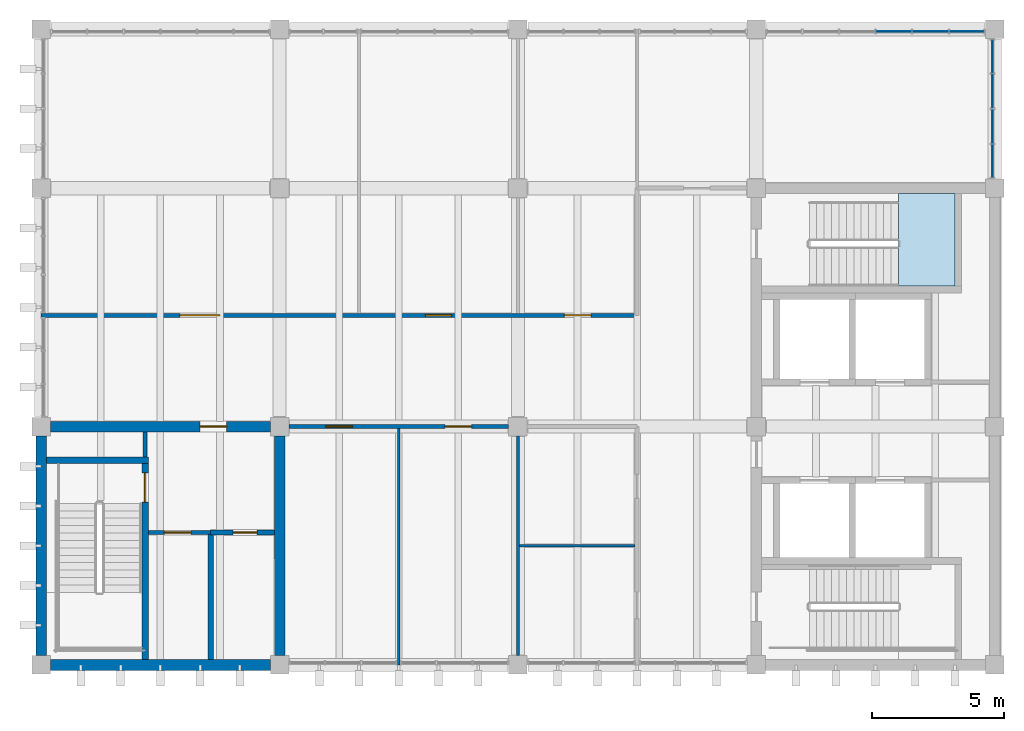
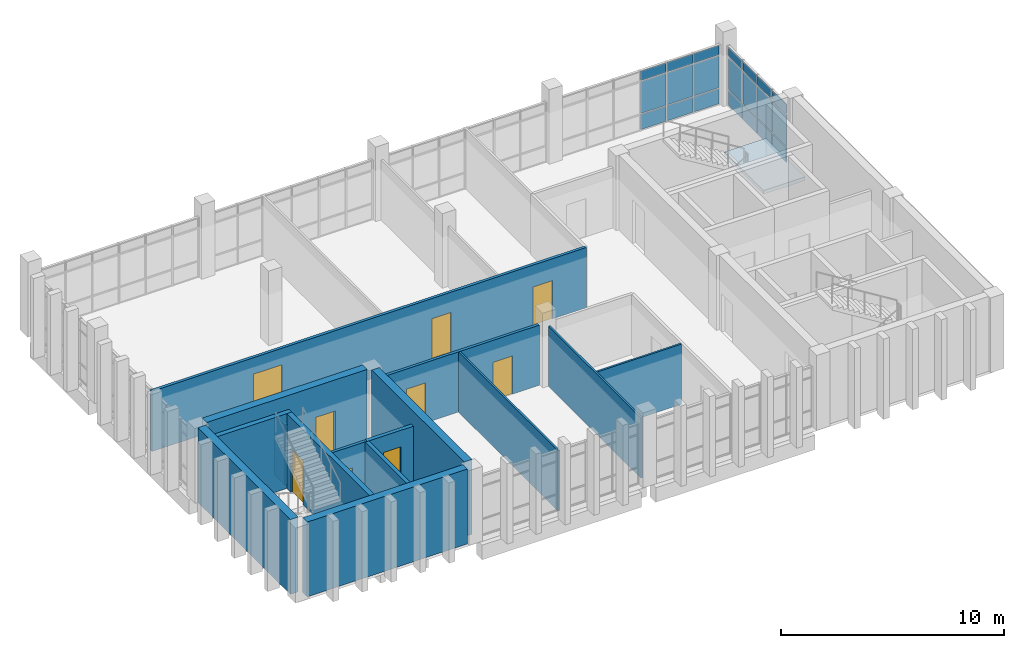
# One storey, part 9 of 14: 21 plates, 15 walls, 9 doors, 1 slab, 9 openings, 3 elements without a shape of their own.
"""IFC4 building model written with IfcOpenShell, lengths in metres."""

import ifcopenshell
import ifcopenshell.guid

model = None  # the IFC model being written
_history = None  # IfcOwnerHistory: only IFC2X3 demands one
_inside = {}  # id of a spatial element -> (the spatial element, [elements in it])
_under = {}  # id of a project, library or spatial element -> (it, [spatial elements below it])
_declared = {}  # id of a project -> (the project, [libraries it declares])
_typed = {}  # id of a type object -> (the type object, [elements of that type])
_made_of = {}  # id of a material, layer set ... -> (it, [elements and type objects made of it])


def new_model(schema):
    """Start an empty IFC model of exactly this schema.

    Asked for "IFC4X3", IfcOpenShell would pick the latest addendum, in which some entities
    have other attributes; the version numbers below select the first issue.
    IFC2X3 requires an IfcOwnerHistory on every rooted entity: one is made here for all.
    """
    global model, _history
    if schema == "IFC4X3":
        model = ifcopenshell.file(schema_version=(4, 3, 0, 0))
    else:
        model = ifcopenshell.file(schema=schema)
    _inside.clear()
    _under.clear()
    _declared.clear()
    _typed.clear()
    _made_of.clear()
    _history = None
    if model.schema == "IFC2X3":
        org = make("IfcOrganization", Name="unknown")
        user = make(
            "IfcPersonAndOrganization",
            ThePerson=make("IfcPerson", FamilyName="unknown"),
            TheOrganization=org,
        )
        app = make(
            "IfcApplication",
            ApplicationDeveloper=org,
            Version="unknown",
            ApplicationFullName="unknown",
            ApplicationIdentifier="unknown",
        )
        _history = make(
            "IfcOwnerHistory",
            OwningUser=user,
            OwningApplication=app,
            ChangeAction="ADDED",
            CreationDate=0,
        )
    return model


def make(cls, **values):
    """One entity of the class cls with the attributes given. An attribute that is None is left unset."""
    return model.create_entity(
        cls, **{name: value for name, value in values.items() if value is not None}
    )


def rooted(cls, **values):
    """An entity with a GlobalId (a new one), such as an element, a storey or a relation."""
    return make(cls, GlobalId=ifcopenshell.guid.new(), OwnerHistory=_history, **values)


def si_unit(unit_type, name, prefix=None):
    """IfcSIUnit, for example si_unit("LENGTHUNIT", "METRE", prefix="MILLI")."""
    return make("IfcSIUnit", UnitType=unit_type, Prefix=prefix, Name=name)


def assignment(units):
    """IfcUnitAssignment: the units of a project."""
    return None if units is None else make("IfcUnitAssignment", Units=units)


def point(xyz):
    """IfcCartesianPoint."""
    return None if xyz is None else make("IfcCartesianPoint", Coordinates=xyz)


def direction(xyz):
    """IfcDirection."""
    return None if xyz is None else make("IfcDirection", DirectionRatios=xyz)


def frame(location, z_axis=None, x_axis=None):
    """IfcAxis2Placement3D, a coordinate frame: its origin and axes. An axis left out is left unset."""
    return make(
        "IfcAxis2Placement3D",
        Location=point(location),
        Axis=direction(z_axis),
        RefDirection=direction(x_axis),
    )


def frame_2d(location, x_axis=None):
    """IfcAxis2Placement2D, a coordinate frame in the plane: its origin and x axis."""
    return make(
        "IfcAxis2Placement2D", Location=point(location), RefDirection=direction(x_axis)
    )


def origin():
    """The frame at (0, 0, 0) with its axes left unset."""
    return frame((0.0, 0.0, 0.0))


def origin_2d():
    """The frame at (0, 0) in the plane with its x axis left unset."""
    return frame_2d((0.0, 0.0))


def place(relative_to, where):
    """IfcLocalPlacement: puts the frame where relative to a parent placement (None: the world)."""
    return make(
        "IfcLocalPlacement", PlacementRelTo=relative_to, RelativePlacement=where
    )


def context(
    kind, dimensions, precision=None, world=None, true_north=None, identifier=None
):
    """IfcGeometricRepresentationContext, for example the 3D "Model" context."""
    return make(
        "IfcGeometricRepresentationContext",
        ContextIdentifier=identifier,
        ContextType=kind,
        CoordinateSpaceDimension=dimensions,
        Precision=precision,
        WorldCoordinateSystem=world,
        TrueNorth=true_north,
    )


def subcontext(parent, identifier, kind, view, scale=None):
    """IfcGeometricRepresentationSubContext, for example "Body" below "Model"."""
    return make(
        "IfcGeometricRepresentationSubContext",
        ContextIdentifier=identifier,
        ContextType=kind,
        ParentContext=parent,
        TargetScale=scale,
        TargetView=view,
    )


def project(units=None, contexts=None):
    """IfcProject with its units and contexts."""
    return rooted(
        "IfcProject",
        Name="project",
        RepresentationContexts=contexts,
        UnitsInContext=assignment(units),
    )


def spatial(cls, under=None, at=None, **own):
    """A site, building, storey or space (cls), placed at a placement, below another one or the project."""
    s = rooted(cls, ObjectPlacement=at, **own)
    if under is not None:
        _under.setdefault(under.id(), (under, []))[1].append(s)
    return s


def polyline(points):
    """IfcPolyline through the points."""
    return make("IfcPolyline", Points=[point(p) for p in points])


def profile(cls, at=None, kind="AREA", **sizes):
    """A parametric profile (cls). Its sizes go by their IFC names, for example OverallWidth=200.0."""
    return make(cls, ProfileType=kind, Position=at, **sizes)


def rectangle(**sizes):
    """IfcRectangleProfileDef."""
    return profile("IfcRectangleProfileDef", **sizes)


def outline(outer, holes=None, kind="AREA"):
    """IfcArbitraryClosedProfileDef: a profile drawn as a closed curve; with holes, ...WithVoids."""
    if holes is None:
        return make("IfcArbitraryClosedProfileDef", ProfileType=kind, OuterCurve=outer)
    return make(
        "IfcArbitraryProfileDefWithVoids",
        ProfileType=kind,
        OuterCurve=outer,
        InnerCurves=holes,
    )


def extrude(swept, where, along, depth):
    """IfcExtrudedAreaSolid: the profile swept, set in the frame where, extruded along a direction by depth."""
    return make(
        "IfcExtrudedAreaSolid",
        SweptArea=swept,
        Position=where,
        ExtrudedDirection=direction(along),
        Depth=depth,
    )


def shape(context_of_items, identifier, shape_type, items):
    """IfcShapeRepresentation: the items that make up one representation, for example the "Body"."""
    return make(
        "IfcShapeRepresentation",
        ContextOfItems=context_of_items,
        RepresentationIdentifier=identifier,
        RepresentationType=shape_type,
        Items=items,
    )


def material(Name=None, Category=None):
    """IfcMaterial."""
    return make("IfcMaterial", Name=Name, Category=Category)


def layer(
    of_material, thickness, ventilated=None, Name=None, Category=None, Priority=None
):
    """IfcMaterialLayer: one layer of a wall or slab, of a material (None: an air gap)."""
    return make(
        "IfcMaterialLayer",
        Material=of_material,
        LayerThickness=thickness,
        IsVentilated=ventilated,
        Name=Name,
        Category=Category,
        Priority=Priority,
    )


def layer_set(layers, Name=None):
    """IfcMaterialLayerSet."""
    return make("IfcMaterialLayerSet", MaterialLayers=layers, LayerSetName=Name)


def made_of(thing, what):
    """Note that an element or type object is made of a material, layer set ...; save() writes the relation."""
    if what is not None:
        _made_of.setdefault(what.id(), (what, []))[1].append(thing)
    return thing


def type_object(cls, material=None, **own):
    """A type object (cls), such as IfcWallType, which elements share."""
    return made_of(rooted(cls, **own), material)


def element(
    cls,
    number,
    at=None,
    inside=None,
    cuts=None,
    type_object=None,
    material=None,
    context=None,
    identifier="Body",
    shape_type=None,
    held_by="IfcProductDefinitionShape",
    body=None,
    shapes=None,
    **own,
):
    """One element of the class cls, such as IfcWall. Its Tag is "e" and its number.

    at: its placement. inside: the storey or other place that contains it. cuts: it is an
    opening in that element (IfcRelVoidsElement). A single representation is given by context,
    identifier, shape_type and body (its items); several are given by shapes. held_by: the class
    of the entity that holds the representations. save() writes the other relations.
    """
    e = rooted(cls, Tag="e%d" % number, ObjectPlacement=at, **own)
    if body is not None:
        shapes = [shape(context, identifier, shape_type, body)]
    if shapes is not None:
        e.Representation = make(held_by, Representations=shapes)
    if inside is not None:
        _inside.setdefault(inside.id(), (inside, []))[1].append(e)
    if cuts is not None:
        rooted(
            "IfcRelVoidsElement", RelatingBuildingElement=cuts, RelatedOpeningElement=e
        )
    if type_object is not None:
        _typed.setdefault(type_object.id(), (type_object, []))[1].append(e)
    return made_of(e, material)


def fill(opening, filler):
    """IfcRelFillsElement: the door or window that sits in an opening."""
    return rooted(
        "IfcRelFillsElement",
        RelatingOpeningElement=opening,
        RelatedBuildingElement=filler,
    )


def aggregate(whole, parts):
    """IfcRelAggregates: a whole, such as a stair, and the parts it consists of."""
    return rooted("IfcRelAggregates", RelatingObject=whole, RelatedObjects=parts)


def save(model, path):
    """Write the relations noted so far, then the file.

    IfcRelAggregates (storeys below a building ...), IfcRelContainedInSpatialStructure (elements
    in a storey), IfcRelDefinesByType, IfcRelAssociatesMaterial and IfcRelDeclares: one each for
    every whole, place, type object, material and project.
    """
    for whole, parts in _under.values():
        aggregate(whole, parts)
    for where, things in _inside.values():
        rooted(
            "IfcRelContainedInSpatialStructure",
            RelatedElements=things,
            RelatingStructure=where,
        )
    for kind, things in _typed.values():
        rooted("IfcRelDefinesByType", RelatedObjects=things, RelatingType=kind)
    for what, things in _made_of.values():
        rooted("IfcRelAssociatesMaterial", RelatedObjects=things, RelatingMaterial=what)
    for by, libraries in _declared.values():
        rooted("IfcRelDeclares", RelatingContext=by, RelatedDefinitions=libraries)
    model.write(path)


model = new_model("IFC4")

# Units and contexts
model_context = context("Model", 3, precision=1e-05, world=origin(), true_north=direction((0.0, 1.0)))
body_context = subcontext(model_context, "Body", "Model", "MODEL_VIEW")
ifc_project = project(units=[si_unit("LENGTHUNIT", "METRE"), si_unit("AREAUNIT", "SQUARE_METRE"), si_unit("VOLUMEUNIT", "CUBIC_METRE"), si_unit("PLANEANGLEUNIT", "RADIAN"), si_unit("MASSUNIT", "GRAM", prefix="KILO")], contexts=[model_context])

# Site, building, storey
site_placement = place(None, origin())
site = spatial("IfcSite", under=ifc_project, at=site_placement, CompositionType="ELEMENT")
building_placement = place(site_placement, origin())
building = spatial("IfcBuilding", under=site, at=building_placement, Name="Merrow Basin Faculty of Sciences", CompositionType="ELEMENT")
storey_placement = place(building_placement, frame((0.0, 0.0, 36.0)))
storey = spatial("IfcBuildingStorey", under=building, at=storey_placement, Name="L08", CompositionType="ELEMENT", Elevation=36.0)

# Curtain wall, plates
ifc_material_1 = material(Name="Aluminium alloy 6063", Category="aluminium")
curtain_wall_type = type_object("IfcCurtainWallType", Name="Unitised curtain wall 160", PredefinedType="NOTDEFINED", material=ifc_material_1)
curtain_wall_1_placement = place(storey_placement, origin())
curtain_wall_1 = element("IfcCurtainWall", 1, at=curtain_wall_1_placement, inside=storey, type_object=curtain_wall_type, Name="N curtain wall L08 6", PredefinedType="NOTDEFINED")
ifc_material_2 = material(Name="Insulated aluminium spandrel panel", Category="aluminium")
ifc_layer_1 = layer(ifc_material_2, 0.052001953125)
ifc_layer_set_1 = layer_set([ifc_layer_1], Name="Insulated spandrel panel 52")
plate_type_1 = type_object("IfcPlateType", Name="Insulated spandrel panel 52", PredefinedType="CURTAIN_PANEL", material=ifc_layer_set_1)
plate_1_placement = place(storey_placement, frame((50.191650390625, 165.919921875, 0.06005859375), z_axis=(0.0, 0.0, 1.0), x_axis=(1.0, 0.0, 0.0)))
plate_1 = element("IfcPlate", 2, at=plate_1_placement, type_object=plate_type_1, Name="CW3 panel 4.1", PredefinedType="CURTAIN_PANEL", context=body_context, shape_type="SweptSolid", body=[
    extrude(rectangle(XDim=1.3232421875, YDim=0.052001953125, at=origin_2d()), origin(), (0.0, 0.0, 1.0), 0.81005859375),
])
plate_2_placement = place(storey_placement, frame((51.574951171875, 165.919921875, 0.06005859375), z_axis=(0.0, 0.0, 1.0), x_axis=(1.0, 0.0, 0.0)))
plate_2 = element("IfcPlate", 3, at=plate_2_placement, type_object=plate_type_1, Name="CW3 panel 5.1", PredefinedType="CURTAIN_PANEL", context=body_context, shape_type="SweptSolid", body=[
    extrude(rectangle(XDim=1.3232421875, YDim=0.052001953125, at=origin_2d()), origin(), (0.0, 0.0, 1.0), 0.81005859375),
])
plate_3_placement = place(storey_placement, frame((52.943359375, 165.919921875, 0.06005859375), z_axis=(0.0, 0.0, 1.0), x_axis=(1.0, 0.0, 0.0)))
plate_3 = element("IfcPlate", 4, at=plate_3_placement, type_object=plate_type_1, Name="CW3 panel 6.1", PredefinedType="CURTAIN_PANEL", context=body_context, shape_type="SweptSolid", body=[
    extrude(rectangle(XDim=1.293212890625, YDim=0.052001953125, at=origin_2d()), origin(), (0.0, 0.0, 1.0), 0.81005859375),
])

curtain_wall_2_placement = place(storey_placement, origin())
curtain_wall_2 = element("IfcCurtainWall", 5, at=curtain_wall_2_placement, inside=storey, type_object=curtain_wall_type, Name="E curtain wall L08 1", PredefinedType="NOTDEFINED")
plate_4_placement = place(storey_placement, frame((53.919921875, 161.027587890625, 0.06005859375), z_axis=(0.0, 0.0, 1.0), x_axis=(0.0, 1.0, 0.0)))
plate_4 = element("IfcPlate", 6, at=plate_4_placement, type_object=plate_type_1, Name="CW3 panel 1.1", PredefinedType="CURTAIN_PANEL", context=body_context, shape_type="SweptSolid", body=[
    extrude(rectangle(XDim=1.235107421875, YDim=0.052001953125, at=origin_2d()), origin(), (0.0, 0.0, 1.0), 0.81005859375),
])
plate_5_placement = place(storey_placement, frame((53.919921875, 162.33740234375, 0.06005859375), z_axis=(0.0, 0.0, 1.0), x_axis=(0.0, 1.0, 0.0)))
plate_5 = element("IfcPlate", 7, at=plate_5_placement, type_object=plate_type_1, Name="CW3 panel 2.1", PredefinedType="CURTAIN_PANEL", context=body_context, shape_type="SweptSolid", body=[
    extrude(rectangle(XDim=1.264892578125, YDim=0.052001953125, at=origin_2d()), origin(), (0.0, 0.0, 1.0), 0.81005859375),
])
plate_6_placement = place(storey_placement, frame((53.919921875, 163.66259765625, 0.06005859375), z_axis=(0.0, 0.0, 1.0), x_axis=(0.0, 1.0, 0.0)))
plate_6 = element("IfcPlate", 8, at=plate_6_placement, type_object=plate_type_1, Name="CW3 panel 3.1", PredefinedType="CURTAIN_PANEL", context=body_context, shape_type="SweptSolid", body=[
    extrude(rectangle(XDim=1.264892578125, YDim=0.052001953125, at=origin_2d()), origin(), (0.0, 0.0, 1.0), 0.81005859375),
])
plate_7_placement = place(storey_placement, frame((53.919921875, 164.972412109375, 0.06005859375), z_axis=(0.0, 0.0, 1.0), x_axis=(0.0, 1.0, 0.0)))
plate_7 = element("IfcPlate", 9, at=plate_7_placement, type_object=plate_type_1, Name="CW3 panel 4.1", PredefinedType="CURTAIN_PANEL", context=body_context, shape_type="SweptSolid", body=[
    extrude(rectangle(XDim=1.235107421875, YDim=0.052001953125, at=origin_2d()), origin(), (0.0, 0.0, 1.0), 0.81005859375),
])

# Plate
ifc_material_3 = material(Name="Low-E double glazing", Category="glass")
ifc_layer_2 = layer(ifc_material_3, 0.028076171875)
ifc_layer_set_2 = layer_set([ifc_layer_2], Name="Low-E double glazed panel 28")
plate_type_2 = type_object("IfcPlateType", Name="Low-E double glazed panel 28", PredefinedType="CURTAIN_PANEL", material=ifc_layer_set_2)
plate_8_placement = place(storey_placement, frame((50.191650390625, 165.919921875, 0.93017578125), z_axis=(0.0, 0.0, 1.0), x_axis=(1.0, 0.0, 0.0)))
plate_8 = element("IfcPlate", 10, at=plate_8_placement, type_object=plate_type_2, Name="CW3 panel 4.2", PredefinedType="CURTAIN_PANEL", context=body_context, shape_type="SweptSolid", body=[
    extrude(rectangle(XDim=1.3232421875, YDim=0.028076171875, at=origin_2d()), origin(), (0.0, 0.0, 1.0), 1.739990234375),
])

plate_9_placement = place(storey_placement, frame((50.191650390625, 165.919921875, 2.72998046875), z_axis=(0.0, 0.0, 1.0), x_axis=(1.0, 0.0, 0.0)))
plate_9 = element("IfcPlate", 11, at=plate_9_placement, type_object=plate_type_2, Name="CW3 panel 4.3", PredefinedType="CURTAIN_PANEL", context=body_context, shape_type="SweptSolid", body=[
    extrude(rectangle(XDim=1.3232421875, YDim=0.028076171875, at=origin_2d()), origin(), (0.0, 0.0, 1.0), 0.510009765625),
])

plate_10_placement = place(storey_placement, frame((51.574951171875, 165.919921875, 0.93017578125), z_axis=(0.0, 0.0, 1.0), x_axis=(1.0, 0.0, 0.0)))
plate_10 = element("IfcPlate", 12, at=plate_10_placement, type_object=plate_type_2, Name="CW3 panel 5.2", PredefinedType="CURTAIN_PANEL", context=body_context, shape_type="SweptSolid", body=[
    extrude(rectangle(XDim=1.3232421875, YDim=0.028076171875, at=origin_2d()), origin(), (0.0, 0.0, 1.0), 1.739990234375),
])

plate_11_placement = place(storey_placement, frame((51.574951171875, 165.919921875, 2.72998046875), z_axis=(0.0, 0.0, 1.0), x_axis=(1.0, 0.0, 0.0)))
plate_11 = element("IfcPlate", 13, at=plate_11_placement, type_object=plate_type_2, Name="CW3 panel 5.3", PredefinedType="CURTAIN_PANEL", context=body_context, shape_type="SweptSolid", body=[
    extrude(rectangle(XDim=1.3232421875, YDim=0.028076171875, at=origin_2d()), origin(), (0.0, 0.0, 1.0), 0.510009765625),
])

plate_12_placement = place(storey_placement, frame((52.943359375, 165.919921875, 0.93017578125), z_axis=(0.0, 0.0, 1.0), x_axis=(1.0, 0.0, 0.0)))
plate_12 = element("IfcPlate", 14, at=plate_12_placement, type_object=plate_type_2, Name="CW3 panel 6.2", PredefinedType="CURTAIN_PANEL", context=body_context, shape_type="SweptSolid", body=[
    extrude(rectangle(XDim=1.293212890625, YDim=0.028076171875, at=origin_2d()), origin(), (0.0, 0.0, 1.0), 1.739990234375),
])

plate_13_placement = place(storey_placement, frame((52.943359375, 165.919921875, 2.72998046875), z_axis=(0.0, 0.0, 1.0), x_axis=(1.0, 0.0, 0.0)))
plate_13 = element("IfcPlate", 15, at=plate_13_placement, type_object=plate_type_2, Name="CW3 panel 6.3", PredefinedType="CURTAIN_PANEL", context=body_context, shape_type="SweptSolid", body=[
    extrude(rectangle(XDim=1.293212890625, YDim=0.028076171875, at=origin_2d()), origin(), (0.0, 0.0, 1.0), 0.510009765625),
])

aggregate(curtain_wall_1, [plate_1, plate_8, plate_9, plate_2, plate_10, plate_11, plate_3, plate_12, plate_13])

plate_14_placement = place(storey_placement, frame((53.919921875, 161.027587890625, 0.93017578125), z_axis=(0.0, 0.0, 1.0), x_axis=(0.0, 1.0, 0.0)))
plate_14 = element("IfcPlate", 16, at=plate_14_placement, type_object=plate_type_2, Name="CW3 panel 1.2", PredefinedType="CURTAIN_PANEL", context=body_context, shape_type="SweptSolid", body=[
    extrude(rectangle(XDim=1.235107421875, YDim=0.028076171875, at=origin_2d()), origin(), (0.0, 0.0, 1.0), 1.739990234375),
])

plate_15_placement = place(storey_placement, frame((53.919921875, 161.027587890625, 2.72998046875), z_axis=(0.0, 0.0, 1.0), x_axis=(0.0, 1.0, 0.0)))
plate_15 = element("IfcPlate", 17, at=plate_15_placement, type_object=plate_type_2, Name="CW3 panel 1.3", PredefinedType="CURTAIN_PANEL", context=body_context, shape_type="SweptSolid", body=[
    extrude(rectangle(XDim=1.235107421875, YDim=0.028076171875, at=origin_2d()), origin(), (0.0, 0.0, 1.0), 0.510009765625),
])

plate_16_placement = place(storey_placement, frame((53.919921875, 162.33740234375, 0.93017578125), z_axis=(0.0, 0.0, 1.0), x_axis=(0.0, 1.0, 0.0)))
plate_16 = element("IfcPlate", 18, at=plate_16_placement, type_object=plate_type_2, Name="CW3 panel 2.2", PredefinedType="CURTAIN_PANEL", context=body_context, shape_type="SweptSolid", body=[
    extrude(rectangle(XDim=1.264892578125, YDim=0.028076171875, at=origin_2d()), origin(), (0.0, 0.0, 1.0), 1.739990234375),
])

plate_17_placement = place(storey_placement, frame((53.919921875, 162.33740234375, 2.72998046875), z_axis=(0.0, 0.0, 1.0), x_axis=(0.0, 1.0, 0.0)))
plate_17 = element("IfcPlate", 19, at=plate_17_placement, type_object=plate_type_2, Name="CW3 panel 2.3", PredefinedType="CURTAIN_PANEL", context=body_context, shape_type="SweptSolid", body=[
    extrude(rectangle(XDim=1.264892578125, YDim=0.028076171875, at=origin_2d()), origin(), (0.0, 0.0, 1.0), 0.510009765625),
])

plate_18_placement = place(storey_placement, frame((53.919921875, 163.66259765625, 0.93017578125), z_axis=(0.0, 0.0, 1.0), x_axis=(0.0, 1.0, 0.0)))
plate_18 = element("IfcPlate", 20, at=plate_18_placement, type_object=plate_type_2, Name="CW3 panel 3.2", PredefinedType="CURTAIN_PANEL", context=body_context, shape_type="SweptSolid", body=[
    extrude(rectangle(XDim=1.264892578125, YDim=0.028076171875, at=origin_2d()), origin(), (0.0, 0.0, 1.0), 1.739990234375),
])

plate_19_placement = place(storey_placement, frame((53.919921875, 163.66259765625, 2.72998046875), z_axis=(0.0, 0.0, 1.0), x_axis=(0.0, 1.0, 0.0)))
plate_19 = element("IfcPlate", 21, at=plate_19_placement, type_object=plate_type_2, Name="CW3 panel 3.3", PredefinedType="CURTAIN_PANEL", context=body_context, shape_type="SweptSolid", body=[
    extrude(rectangle(XDim=1.264892578125, YDim=0.028076171875, at=origin_2d()), origin(), (0.0, 0.0, 1.0), 0.510009765625),
])

plate_20_placement = place(storey_placement, frame((53.919921875, 164.972412109375, 0.93017578125), z_axis=(0.0, 0.0, 1.0), x_axis=(0.0, 1.0, 0.0)))
plate_20 = element("IfcPlate", 22, at=plate_20_placement, type_object=plate_type_2, Name="CW3 panel 4.2", PredefinedType="CURTAIN_PANEL", context=body_context, shape_type="SweptSolid", body=[
    extrude(rectangle(XDim=1.235107421875, YDim=0.028076171875, at=origin_2d()), origin(), (0.0, 0.0, 1.0), 1.739990234375),
])

plate_21_placement = place(storey_placement, frame((53.919921875, 164.972412109375, 2.72998046875), z_axis=(0.0, 0.0, 1.0), x_axis=(0.0, 1.0, 0.0)))
plate_21 = element("IfcPlate", 23, at=plate_21_placement, type_object=plate_type_2, Name="CW3 panel 4.3", PredefinedType="CURTAIN_PANEL", context=body_context, shape_type="SweptSolid", body=[
    extrude(rectangle(XDim=1.235107421875, YDim=0.028076171875, at=origin_2d()), origin(), (0.0, 0.0, 1.0), 0.510009765625),
])

aggregate(curtain_wall_2, [plate_4, plate_14, plate_15, plate_5, plate_16, plate_17, plate_6, plate_18, plate_19, plate_7, plate_20, plate_21])

# Stair, slab
ifc_material_4 = material(Name="Concrete C40/50", Category="concrete")
stair_type = type_object("IfcStairType", Name="Concrete dog-leg stair Concrete C40/50", PredefinedType="HALF_TURN_STAIR", material=ifc_material_4)
stair_placement = place(storey_placement, origin())
stair = element("IfcStair", 24, at=stair_placement, inside=storey, type_object=stair_type, Name="L08 Exit stair S", PredefinedType="HALF_TURN_STAIR")
ifc_material_5 = material(Name="Concrete C40/50", Category="concrete")
ifc_layer_3 = layer(ifc_material_5, 0.199951171875)
ifc_layer_set_3 = layer_set([ifc_layer_3], Name="Stair landing 200 Concrete C40/50")
slab_type = type_object("IfcSlabType", Name="Stair landing 200 Concrete C40/50", PredefinedType="LANDING", material=ifc_layer_set_3)
slab_placement = place(storey_placement, frame((0.0, 0.0, 2.050048828125)))
slab = element("IfcSlab", 25, at=slab_placement, type_object=slab_type, Name="ST-V5-S landing 1", PredefinedType="LANDING", context=body_context, shape_type="SweptSolid", body=[
    extrude(outline(polyline([(50.360107421875, 156.300048828125), (52.5, 156.300048828125), (52.5, 159.800048828125), (50.360107421875, 159.800048828125), (50.360107421875, 156.300048828125)])), origin(), (0.0, 0.0, 1.0), 0.199951171875),
])
aggregate(stair, [slab])

# Wall
ifc_material_6 = material(Name="Fire-rated gypsum board")
ifc_layer_4 = layer(ifc_material_6, 0.14990234375)
ifc_layer_set_4 = layer_set([ifc_layer_4], Name="Corridor partition 150 fire-rated board on steel studs")
wall_type_1 = type_object("IfcWallType", Name="Corridor partition 150 fire-rated board on steel studs", PredefinedType="PARTITIONING", material=ifc_layer_set_4)
wall_1_placement = place(storey_placement, frame((21.925048828125, 149.85009765625, 0.0), z_axis=(0.0, 0.0, 1.0), x_axis=(0.0, 1.0, 0.0)))
element("IfcWall", 26, at=wall_1_placement, inside=storey, type_object=wall_type_1, Name="IW151 L08 003", PredefinedType="PARTITIONING", context=body_context, shape_type="SweptSolid", body=[
    extrude(rectangle(XDim=0.949951171875, YDim=0.14990234375, at=frame_2d((0.47509765625, 0.0))), origin(), (0.0, 0.0, 1.0), 3.300048828125),
])

# Wall, opening, door
wall_2_placement = place(storey_placement, frame((22.050048828125, 147.0, 0.0), z_axis=(0.0, 0.0, 1.0), x_axis=(1.0, 0.0, 0.0)))
wall_2 = element("IfcWall", 27, at=wall_2_placement, inside=storey, type_object=wall_type_1, Name="IW151 L08 006", PredefinedType="PARTITIONING", context=body_context, shape_type="SweptSolid", body=[
    extrude(rectangle(XDim=2.349853515625, YDim=0.14990234375, at=frame_2d((1.1748046875, 0.0))), origin(), (0.0, 0.0, 1.0), 3.300048828125),
])
opening_1_placement = place(wall_2_placement, frame((0.60009765625, 0.0, 0.0)))
opening_1 = element("IfcOpeningElement", 28, at=opening_1_placement, cuts=wall_2, Name="Opening D08T006", PredefinedType="OPENING", context=body_context, shape_type="SweptSolid", body=[
    extrude(rectangle(XDim=1.0, YDim=2.10009765625, at=frame_2d((0.5, 1.050048828125))), frame((0.0, 0.0849609375, 0.0), z_axis=(0.0, -1.0, 0.0), x_axis=(1.0, 0.0, 0.0)), (0.0, 0.0, 1.0), 0.169921875),
])
ifc_material_7 = material(Name="Timber door leaf", Category="wood")
door_type_1 = type_object("IfcDoorType", Name="Accessible door 1000 x 2100", OperationType="NOTDEFINED", PredefinedType="DOOR", material=ifc_material_7)
door_1_placement = place(opening_1_placement, origin())
door_1 = element("IfcDoor", 29, at=door_1_placement, inside=storey, type_object=door_type_1, Name="Door D08T006", OperationType="SINGLE_SWING_LEFT", OverallHeight=2.10009765625, OverallWidth=1.0, PredefinedType="DOOR", context=body_context, shape_type="SweptSolid", body=[
    extrude(rectangle(XDim=1.0, YDim=2.10009765625, at=frame_2d((0.5, 1.050048828125))), frame((0.0, 0.02490234375, 0.0), z_axis=(0.0, -1.0, 0.0), x_axis=(1.0, 0.0, 0.0)), (0.0, 0.0, 1.0), 0.050048828125),
])
fill(opening_1, door_1)

# Wall, openings, doors
wall_3_placement = place(storey_placement, frame((27.35009765625, 151.0, 0.0), z_axis=(0.0, 0.0, 1.0), x_axis=(1.0, 0.0, 0.0)))
wall_3 = element("IfcWall", 30, at=wall_3_placement, inside=storey, type_object=wall_type_1, Name="IW151 L08 008", PredefinedType="PARTITIONING", context=body_context, shape_type="SweptSolid", body=[
    extrude(rectangle(XDim=8.2998046875, YDim=0.14990234375, at=frame_2d((4.14990234375, 0.0))), origin(), (0.0, 0.0, 1.0), 3.300048828125),
])
opening_2_placement = place(wall_3_placement, frame((1.39990234375, 0.0, 0.0)))
opening_2 = element("IfcOpeningElement", 31, at=opening_2_placement, cuts=wall_3, Name="Opening D08T013", PredefinedType="OPENING", context=body_context, shape_type="SweptSolid", body=[
    extrude(rectangle(XDim=1.0, YDim=2.199951171875, at=frame_2d((0.5, 1.10009765625))), frame((0.0, 0.0849609375, 0.0), z_axis=(0.0, -1.0, 0.0), x_axis=(1.0, 0.0, 0.0)), (0.0, 0.0, 1.0), 0.169921875),
])
opening_3_placement = place(wall_3_placement, frame((5.89990234375, 0.0, 0.0)))
opening_3 = element("IfcOpeningElement", 32, at=opening_3_placement, cuts=wall_3, Name="Opening D08T014", PredefinedType="OPENING", context=body_context, shape_type="SweptSolid", body=[
    extrude(rectangle(XDim=1.0, YDim=2.10009765625, at=frame_2d((0.5, 1.050048828125))), frame((0.0, 0.0849609375, 0.0), z_axis=(0.0, -1.0, 0.0), x_axis=(1.0, 0.0, 0.0)), (0.0, 0.0, 1.0), 0.169921875),
])
ifc_material_8 = material(Name="Timber door leaf", Category="wood")
door_type_2 = type_object("IfcDoorType", Name="Single swing door 1000 x 2100", OperationType="NOTDEFINED", PredefinedType="DOOR", material=ifc_material_8)
door_2_placement = place(opening_3_placement, origin())
door_2 = element("IfcDoor", 33, at=door_2_placement, inside=storey, type_object=door_type_2, Name="Door D08T014", OperationType="SINGLE_SWING_LEFT", OverallHeight=2.10009765625, OverallWidth=1.0, PredefinedType="DOOR", context=body_context, shape_type="SweptSolid", body=[
    extrude(rectangle(XDim=1.0, YDim=2.10009765625, at=frame_2d((0.5, 1.050048828125))), frame((0.0, 0.02490234375, 0.0), z_axis=(0.0, -1.0, 0.0), x_axis=(1.0, 0.0, 0.0)), (0.0, 0.0, 1.0), 0.050048828125),
])
fill(opening_3, door_2)
ifc_material_9 = material(Name="Timber door leaf", Category="wood")
door_type_3 = type_object("IfcDoorType", Name="Vision panel door 1000 x 2200", OperationType="NOTDEFINED", PredefinedType="DOOR", material=ifc_material_9)
door_3_placement = place(opening_2_placement, origin())
door_3 = element("IfcDoor", 34, at=door_3_placement, inside=storey, type_object=door_type_3, Name="Door D08T013", OperationType="SINGLE_SWING_LEFT", OverallHeight=2.199951171875, OverallWidth=1.0, PredefinedType="DOOR", context=body_context, shape_type="SweptSolid", body=[
    extrude(rectangle(XDim=1.0, YDim=2.199951171875, at=frame_2d((0.5, 1.10009765625))), frame((0.0, 0.02490234375, 0.0), z_axis=(0.0, -1.0, 0.0), x_axis=(1.0, 0.0, 0.0)), (0.0, 0.0, 1.0), 0.050048828125),
])
fill(opening_2, door_3)

wall_4_placement = place(storey_placement, frame((18.0, 155.199951171875, 0.0), z_axis=(0.0, 0.0, 1.0), x_axis=(1.0, 0.0, 0.0)))
wall_4 = element("IfcWall", 35, at=wall_4_placement, inside=storey, type_object=wall_type_1, Name="IW151 L08 011", PredefinedType="PARTITIONING", context=body_context, shape_type="SweptSolid", body=[
    extrude(rectangle(XDim=22.5, YDim=0.14990234375, at=frame_2d((11.25, 0.0))), origin(), (0.0, 0.0, 1.0), 3.300048828125),
])
opening_4_placement = place(wall_4_placement, frame((5.25, 0.0, 0.0)))
opening_4 = element("IfcOpeningElement", 36, at=opening_4_placement, cuts=wall_4, Name="Opening D08T010", PredefinedType="OPENING", context=body_context, shape_type="SweptSolid", body=[
    extrude(rectangle(XDim=1.5, YDim=2.39990234375, at=frame_2d((0.75, 1.199951171875))), frame((0.0, 0.0849609375, 0.0), z_axis=(0.0, -1.0, 0.0), x_axis=(1.0, 0.0, 0.0)), (0.0, 0.0, 1.0), 0.169921875),
])
opening_5_placement = place(wall_4_placement, frame((14.5, 0.0, 0.0)))
opening_5 = element("IfcOpeningElement", 37, at=opening_5_placement, cuts=wall_4, Name="Opening D08T011", PredefinedType="OPENING", context=body_context, shape_type="SweptSolid", body=[
    extrude(rectangle(XDim=1.0, YDim=2.199951171875, at=frame_2d((0.5, 1.10009765625))), frame((0.0, 0.0849609375, 0.0), z_axis=(0.0, -1.0, 0.0), x_axis=(1.0, 0.0, 0.0)), (0.0, 0.0, 1.0), 0.169921875),
])
opening_6_placement = place(wall_4_placement, frame((19.75, 0.0, 0.0)))
opening_6 = element("IfcOpeningElement", 38, at=opening_6_placement, cuts=wall_4, Name="Opening D08T012", PredefinedType="OPENING", context=body_context, shape_type="SweptSolid", body=[
    extrude(rectangle(XDim=1.0, YDim=2.10009765625, at=frame_2d((0.5, 1.050048828125))), frame((0.0, 0.0849609375, 0.0), z_axis=(0.0, -1.0, 0.0), x_axis=(1.0, 0.0, 0.0)), (0.0, 0.0, 1.0), 0.169921875),
])
ifc_material_10 = material(Name="Fire-rated steel door", Category="steel")
door_type_4 = type_object("IfcDoorType", Name="Fire door FD60 1500 x 2400 pair", OperationType="NOTDEFINED", PredefinedType="DOOR", material=ifc_material_10)
door_4_placement = place(opening_4_placement, origin())
door_4 = element("IfcDoor", 39, at=door_4_placement, inside=storey, type_object=door_type_4, Name="Door D08T010", OperationType="DOUBLE_DOOR_SINGLE_SWING", OverallHeight=2.39990234375, OverallWidth=1.5, PredefinedType="DOOR", context=body_context, shape_type="SweptSolid", body=[
    extrude(rectangle(XDim=1.5, YDim=2.39990234375, at=frame_2d((0.75, 1.199951171875))), frame((0.0, 0.02490234375, 0.0), z_axis=(0.0, -1.0, 0.0), x_axis=(1.0, 0.0, 0.0)), (0.0, 0.0, 1.0), 0.050048828125),
])
fill(opening_4, door_4)
door_5_placement = place(opening_6_placement, origin())
door_5 = element("IfcDoor", 40, at=door_5_placement, inside=storey, type_object=door_type_2, Name="Door D08T012", OperationType="SINGLE_SWING_LEFT", OverallHeight=2.10009765625, OverallWidth=1.0, PredefinedType="DOOR", context=body_context, shape_type="SweptSolid", body=[
    extrude(rectangle(XDim=1.0, YDim=2.10009765625, at=frame_2d((0.5, 1.050048828125))), frame((0.0, 0.02490234375, 0.0), z_axis=(0.0, -1.0, 0.0), x_axis=(1.0, 0.0, 0.0)), (0.0, 0.0, 1.0), 0.050048828125),
])
fill(opening_6, door_5)
door_6_placement = place(opening_5_placement, origin())
door_6 = element("IfcDoor", 41, at=door_6_placement, inside=storey, type_object=door_type_3, Name="Door D08T011", OperationType="SINGLE_SWING_LEFT", OverallHeight=2.199951171875, OverallWidth=1.0, PredefinedType="DOOR", context=body_context, shape_type="SweptSolid", body=[
    extrude(rectangle(XDim=1.0, YDim=2.199951171875, at=frame_2d((0.5, 1.10009765625))), frame((0.0, 0.02490234375, 0.0), z_axis=(0.0, -1.0, 0.0), x_axis=(1.0, 0.0, 0.0)), (0.0, 0.0, 1.0), 0.050048828125),
])
fill(opening_5, door_6)

# Walls
ifc_material_11 = material(Name="Gypsum board")
ifc_layer_5 = layer(ifc_material_11, 0.10009765625)
ifc_layer_set_5 = layer_set([ifc_layer_5], Name="Partition 100 gypsum board on steel studs")
wall_type_2 = type_object("IfcWallType", Name="Partition 100 gypsum board on steel studs", PredefinedType="PARTITIONING", material=ifc_layer_set_5)
wall_5_placement = place(storey_placement, frame((31.5, 142.0, 0.0), z_axis=(0.0, 0.0, 1.0), x_axis=(0.0, 1.0, 0.0)))
element("IfcWall", 42, at=wall_5_placement, inside=storey, type_object=wall_type_2, Name="IW100 L08 016", PredefinedType="PARTITIONING", context=body_context, shape_type="SweptSolid", body=[
    extrude(rectangle(XDim=8.925048828125, YDim=0.10009765625, at=frame_2d((4.46240234375, 0.0))), origin(), (0.0, 0.0, 1.0), 3.300048828125),
])
ifc_material_12 = material(Name="Moisture-resistant gypsum board")
ifc_layer_6 = layer(ifc_material_12, 0.10009765625)
ifc_layer_set_6 = layer_set([ifc_layer_6], Name="Partition 100 moisture-resistant board on steel studs")
wall_type_3 = type_object("IfcWallType", Name="Partition 100 moisture-resistant board on steel studs", PredefinedType="PARTITIONING", material=ifc_layer_set_6)
wall_6_placement = place(storey_placement, frame((36.0, 142.35009765625, 0.0), z_axis=(0.0, 0.0, 1.0), x_axis=(0.0, 1.0, 0.0)))
element("IfcWall", 43, at=wall_6_placement, inside=storey, type_object=wall_type_3, Name="IW101 L08 013", PredefinedType="PARTITIONING", context=body_context, shape_type="SweptSolid", body=[
    extrude(rectangle(XDim=8.2998046875, YDim=0.10009765625, at=frame_2d((4.14990234375, 0.0))), origin(), (0.0, 0.0, 1.0), 3.300048828125),
])
wall_7_placement = place(storey_placement, frame((36.050048828125, 146.5, 0.0), z_axis=(0.0, 0.0, 1.0), x_axis=(1.0, 0.0, 0.0)))
element("IfcWall", 44, at=wall_7_placement, inside=storey, type_object=wall_type_3, Name="IW101 L08 014", PredefinedType="PARTITIONING", context=body_context, shape_type="SweptSolid", body=[
    extrude(rectangle(XDim=4.375, YDim=0.10009765625, at=frame_2d((2.1875, 0.0))), origin(), (0.0, 0.0, 1.0), 3.300048828125),
])
ifc_material_13 = material(Name="Fire-rated gypsum board")
ifc_layer_7 = layer(ifc_material_13, 0.199951171875)
ifc_layer_set_7 = layer_set([ifc_layer_7], Name="Riser lining 200 fire-rated board on steel studs")
wall_type_4 = type_object("IfcWallType", Name="Riser lining 200 fire-rated board on steel studs", PredefinedType="PARTITIONING", material=ifc_layer_set_7)
wall_8_placement = place(storey_placement, frame((24.39990234375, 142.199951171875, 0.0), z_axis=(0.0, 0.0, 1.0), x_axis=(0.0, 1.0, 0.0)))
element("IfcWall", 45, at=wall_8_placement, inside=storey, type_object=wall_type_4, Name="IW200 L08 001", PredefinedType="PARTITIONING", context=body_context, shape_type="SweptSolid", body=[
    extrude(rectangle(XDim=4.800048828125, YDim=0.199951171875, at=frame_2d((2.39990234375, 0.0))), origin(), (0.0, 0.0, 1.0), 3.300048828125),
])

# Wall, opening, door
wall_9_placement = place(storey_placement, frame((24.39990234375, 147.0, 0.0), z_axis=(0.0, 0.0, 1.0), x_axis=(1.0, 0.0, 0.0)))
wall_9 = element("IfcWall", 46, at=wall_9_placement, inside=storey, type_object=wall_type_4, Name="IW200 L08 002", PredefinedType="PARTITIONING", context=body_context, shape_type="SweptSolid", body=[
    extrude(rectangle(XDim=2.400146484375, YDim=0.199951171875, at=frame_2d((1.2001953125, 0.0))), origin(), (0.0, 0.0, 1.0), 3.300048828125),
])
opening_7_placement = place(wall_9_placement, frame((0.85009765625, 0.0, 0.0)))
opening_7 = element("IfcOpeningElement", 47, at=opening_7_placement, cuts=wall_9, Name="Opening D08T007", PredefinedType="OPENING", context=body_context, shape_type="SweptSolid", body=[
    extrude(rectangle(XDim=0.89990234375, YDim=2.39990234375, at=frame_2d((0.449951171875, 1.199951171875))), frame((0.0, 0.10986328125, 0.0), z_axis=(0.0, -1.0, 0.0), x_axis=(1.0, 0.0, 0.0)), (0.0, 0.0, 1.0), 0.219970703125),
])
ifc_material_14 = material(Name="Fire-rated steel door", Category="steel")
door_type_5 = type_object("IfcDoorType", Name="Fire door FD60 900 x 2400", OperationType="NOTDEFINED", PredefinedType="DOOR", material=ifc_material_14)
door_7_placement = place(opening_7_placement, origin())
door_7 = element("IfcDoor", 48, at=door_7_placement, inside=storey, type_object=door_type_5, Name="Door D08T007", OperationType="SINGLE_SWING_RIGHT", OverallHeight=2.39990234375, OverallWidth=0.89990234375, PredefinedType="DOOR", context=body_context, shape_type="SweptSolid", body=[
    extrude(rectangle(XDim=0.89990234375, YDim=2.39990234375, at=frame_2d((0.449951171875, 1.199951171875))), frame((0.0, 0.02490234375, 0.0), z_axis=(0.0, -1.0, 0.0), x_axis=(1.0, 0.0, 0.0)), (0.0, 0.0, 1.0), 0.050048828125),
])
fill(opening_7, door_7)

# Wall
ifc_material_15 = material(Name="Concrete C40/50", Category="concrete")
ifc_layer_8 = layer(ifc_material_15, 0.25)
ifc_layer_set_8 = layer_set([ifc_layer_8], Name="Shear wall 250 Concrete C40/50")
wall_type_5 = type_object("IfcWallType", Name="Shear wall 250 Concrete C40/50", PredefinedType="SHEAR", material=ifc_layer_set_8)
wall_10_placement = place(storey_placement, frame((18.199951171875, 149.72509765625, 0.0), z_axis=(0.0, 0.0, 1.0), x_axis=(1.0, 0.0, 0.0)))
element("IfcWall", 49, at=wall_10_placement, inside=storey, type_object=wall_type_5, Name="SW2 L08 029", PredefinedType="SHEAR", context=body_context, shape_type="SweptSolid", body=[
    extrude(rectangle(XDim=3.85009765625, YDim=0.25, at=frame_2d((1.925048828125, 0.0))), origin(), (0.0, 0.0, 1.0), 4.10009765625),
])

# Wall, opening, door
wall_11_placement = place(storey_placement, frame((21.925048828125, 142.199951171875, 0.0), z_axis=(0.0, 0.0, 1.0), x_axis=(0.0, 1.0, 0.0)))
wall_11 = element("IfcWall", 50, at=wall_11_placement, inside=storey, type_object=wall_type_5, Name="SW2 L08 030", PredefinedType="SHEAR", context=body_context, shape_type="SweptSolid", body=[
    extrude(rectangle(XDim=7.400146484375, YDim=0.25, at=frame_2d((3.7001953125, 0.0))), origin(), (0.0, 0.0, 1.0), 4.10009765625),
])
opening_8_placement = place(wall_11_placement, frame((5.949951171875, 0.0, 0.0)))
opening_8 = element("IfcOpeningElement", 51, at=opening_8_placement, cuts=wall_11, Name="Opening D08T004", PredefinedType="OPENING", context=body_context, shape_type="SweptSolid", body=[
    extrude(rectangle(XDim=1.10009765625, YDim=2.39990234375, at=frame_2d((0.550048828125, 1.199951171875))), frame((0.0, 0.135009765625, 0.0), z_axis=(0.0, -1.0, 0.0), x_axis=(1.0, 0.0, 0.0)), (0.0, 0.0, 1.0), 0.27001953125),
])
ifc_material_16 = material(Name="Fire-rated steel door", Category="steel")
door_type_6 = type_object("IfcDoorType", Name="Fire door FD90 1100 x 2400", OperationType="NOTDEFINED", PredefinedType="DOOR", material=ifc_material_16)
door_8_placement = place(opening_8_placement, origin())
door_8 = element("IfcDoor", 52, at=door_8_placement, inside=storey, type_object=door_type_6, Name="Door D08T004", OperationType="SINGLE_SWING_RIGHT", OverallHeight=2.39990234375, OverallWidth=1.10009765625, PredefinedType="DOOR", context=body_context, shape_type="SweptSolid", body=[
    extrude(rectangle(XDim=1.10009765625, YDim=2.39990234375, at=frame_2d((0.550048828125, 1.199951171875))), frame((0.0, 0.02490234375, 0.0), z_axis=(0.0, -1.0, 0.0), x_axis=(1.0, 0.0, 0.0)), (0.0, 0.0, 1.0), 0.050048828125),
])
fill(opening_8, door_8)

# Wall
ifc_material_17 = material(Name="Concrete C40/50", Category="concrete")
ifc_layer_9 = layer(ifc_material_17, 0.39990234375)
ifc_layer_set_9 = layer_set([ifc_layer_9], Name="Shear wall 400 Concrete C40/50")
wall_type_6 = type_object("IfcWallType", Name="Shear wall 400 Concrete C40/50", PredefinedType="SHEAR", material=ifc_layer_set_9)
wall_12_placement = place(storey_placement, frame((18.35009765625, 142.0, 0.0), z_axis=(0.0, 0.0, 1.0), x_axis=(1.0, 0.0, 0.0)))
element("IfcWall", 53, at=wall_12_placement, inside=storey, type_object=wall_type_6, Name="SW1 L08 025", PredefinedType="SHEAR", context=body_context, shape_type="SweptSolid", body=[
    extrude(rectangle(XDim=8.2998046875, YDim=0.39990234375, at=frame_2d((4.14990234375, 0.0))), origin(), (0.0, 0.0, 1.0), 4.10009765625),
])

# Wall, opening, door
wall_13_placement = place(storey_placement, frame((18.35009765625, 151.0, 0.0), z_axis=(0.0, 0.0, 1.0), x_axis=(1.0, 0.0, 0.0)))
wall_13 = element("IfcWall", 54, at=wall_13_placement, inside=storey, type_object=wall_type_6, Name="SW1 L08 026", PredefinedType="SHEAR", context=body_context, shape_type="SweptSolid", body=[
    extrude(rectangle(XDim=8.2998046875, YDim=0.39990234375, at=frame_2d((4.14990234375, 0.0))), origin(), (0.0, 0.0, 1.0), 4.10009765625),
])
opening_9_placement = place(wall_13_placement, frame((5.64990234375, 0.0, 0.0)))
opening_9 = element("IfcOpeningElement", 55, at=opening_9_placement, cuts=wall_13, Name="Opening D08T005", PredefinedType="OPENING", context=body_context, shape_type="SweptSolid", body=[
    extrude(rectangle(XDim=1.0, YDim=2.39990234375, at=frame_2d((0.5, 1.199951171875))), frame((0.0, 0.2099609375, 0.0), z_axis=(0.0, -1.0, 0.0), x_axis=(1.0, 0.0, 0.0)), (0.0, 0.0, 1.0), 0.419921875),
])
ifc_material_18 = material(Name="Fire-rated steel door", Category="steel")
door_type_7 = type_object("IfcDoorType", Name="Fire door FD60 1000 x 2400", OperationType="NOTDEFINED", PredefinedType="DOOR", material=ifc_material_18)
door_9_placement = place(opening_9_placement, origin())
door_9 = element("IfcDoor", 56, at=door_9_placement, inside=storey, type_object=door_type_7, Name="Door D08T005", OperationType="SINGLE_SWING_RIGHT", OverallHeight=2.39990234375, OverallWidth=1.0, PredefinedType="DOOR", context=body_context, shape_type="SweptSolid", body=[
    extrude(rectangle(XDim=1.0, YDim=2.39990234375, at=frame_2d((0.5, 1.199951171875))), frame((0.0, 0.02490234375, 0.0), z_axis=(0.0, -1.0, 0.0), x_axis=(1.0, 0.0, 0.0)), (0.0, 0.0, 1.0), 0.050048828125),
])
fill(opening_9, door_9)

# Walls
for number, where, z_axis, x_axis, name in (
    (57, (18.0, 142.35009765625, 0.0), (0.0, 0.0, 1.0), (0.0, 1.0, 0.0), "SW1 L08 027"),
    (58, (27.0, 142.35009765625, 0.0), (0.0, 0.0, 1.0), (0.0, 1.0, 0.0), "SW1 L08 028"),
):
    element("IfcWall", number, at=place(storey_placement, frame(where, z_axis=z_axis, x_axis=x_axis)), inside=storey, type_object=wall_type_6, Name=name, PredefinedType="SHEAR", context=body_context, shape_type="SweptSolid", body=[
        extrude(rectangle(XDim=8.2998046875, YDim=0.39990234375, at=frame_2d((4.14990234375, 0.0))), origin(), (0.0, 0.0, 1.0), 4.10009765625),
    ])

save(model, "model.ifc")
